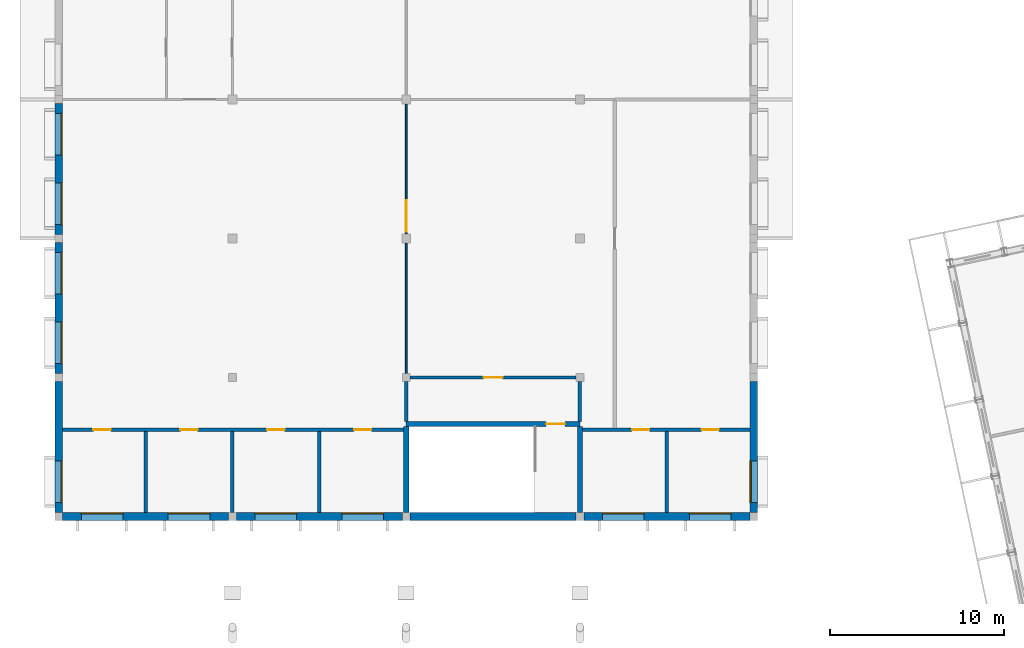
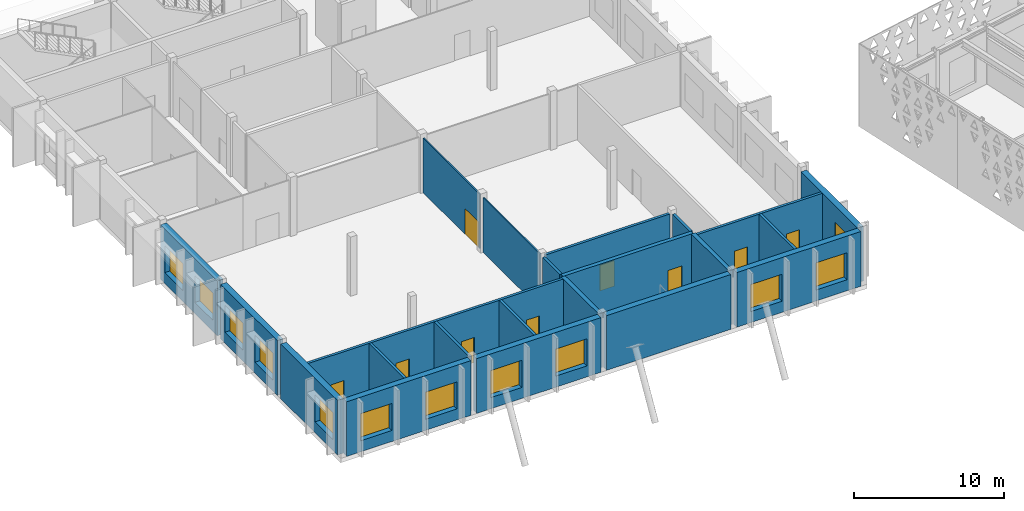
# One storey, part 119 of 182: 22 walls, 12 windows, 9 doors, 21 openings.
"""IFC4 building model written with IfcOpenShell, lengths in metres."""

from ifc_helpers import new_model, si_unit, direction, frame, frame_2d, origin, place, context, subcontext, project, spatial, rectangle, extrude, material, layer, layer_set, type_object, element, fill, save


model = new_model("IFC4")

# Units and contexts
model_context = context("Model", 3, precision=1e-05, world=origin(), true_north=direction((0.0, 1.0)))
body_context = subcontext(model_context, "Body", "Model", "MODEL_VIEW")
ifc_project = project(units=[si_unit("LENGTHUNIT", "METRE"), si_unit("AREAUNIT", "SQUARE_METRE"), si_unit("VOLUMEUNIT", "CUBIC_METRE"), si_unit("PLANEANGLEUNIT", "RADIAN"), si_unit("MASSUNIT", "GRAM", prefix="KILO")], contexts=[model_context])

# Site, building, storey
site_placement = place(None, origin())
site = spatial("IfcSite", under=ifc_project, at=site_placement, CompositionType="ELEMENT")
building_placement = place(site_placement, origin())
building = spatial("IfcBuilding", under=site, at=building_placement, Name="Okhra Congress Centre", CompositionType="ELEMENT")
storey_placement = place(building_placement, frame((0.0, 0.0, 7.199951171875)))
storey = spatial("IfcBuildingStorey", under=building, at=storey_placement, Name="L01", CompositionType="ELEMENT", Elevation=7.199951171875)

# Wall, openings, doors
ifc_material_1 = material(Name="Double gypsum board on steel studs with mineral wool", Category="steel")
ifc_layer_1 = layer(ifc_material_1, 0.199951171875)
ifc_layer_set_1 = layer_set([ifc_layer_1], Name="Acoustic partition 200 EI 15")
wall_type_1 = type_object("IfcWallType", Name="Acoustic partition 200 EI 15", PredefinedType="PARTITIONING", material=ifc_layer_set_1)
wall_1_placement = place(storey_placement, frame((6.22509765625, 41.0, 0.0), z_axis=(0.0, 0.0, 1.0), x_axis=(1.0, 0.0, 0.0)))
wall_1 = element("IfcWall", 1, at=wall_1_placement, inside=storey, type_object=wall_type_1, Name="RS.WALL.L01.5", PredefinedType="PARTITIONING", context=body_context, shape_type="SweptSolid", body=[
    extrude(rectangle(XDim=19.625, YDim=0.199951171875, at=frame_2d((9.8125, 0.0))), origin(), (0.0, 0.0, 1.0), 4.449951171875),
])
opening_1_placement = place(wall_1_placement, frame((1.77490234375, 0.0, 0.0)))
opening_1 = element("IfcOpeningElement", 2, at=opening_1_placement, cuts=wall_1, Name="Opening L01-063", PredefinedType="OPENING", context=body_context, shape_type="SweptSolid", body=[
    extrude(rectangle(XDim=1.0, YDim=2.10009765625, at=frame_2d((0.5, 1.050048828125))), frame((0.0, 0.10986328125, 0.0), z_axis=(0.0, -1.0, 0.0), x_axis=(1.0, 0.0, 0.0)), (0.0, 0.0, 1.0), 0.219970703125),
])
opening_2_placement = place(wall_1_placement, frame((6.77490234375, 0.0, 0.0)))
opening_2 = element("IfcOpeningElement", 3, at=opening_2_placement, cuts=wall_1, Name="Opening L01-064", PredefinedType="OPENING", context=body_context, shape_type="SweptSolid", body=[
    extrude(rectangle(XDim=1.0, YDim=2.10009765625, at=frame_2d((0.5, 1.050048828125))), frame((0.0, 0.10986328125, 0.0), z_axis=(0.0, -1.0, 0.0), x_axis=(1.0, 0.0, 0.0)), (0.0, 0.0, 1.0), 0.219970703125),
])
opening_3_placement = place(wall_1_placement, frame((11.77490234375, 0.0, 0.0)))
opening_3 = element("IfcOpeningElement", 4, at=opening_3_placement, cuts=wall_1, Name="Opening L01-065", PredefinedType="OPENING", context=body_context, shape_type="SweptSolid", body=[
    extrude(rectangle(XDim=1.0, YDim=2.10009765625, at=frame_2d((0.5, 1.050048828125))), frame((0.0, 0.10986328125, 0.0), z_axis=(0.0, -1.0, 0.0), x_axis=(1.0, 0.0, 0.0)), (0.0, 0.0, 1.0), 0.219970703125),
])
opening_4_placement = place(wall_1_placement, frame((16.77490234375, 0.0, 0.0)))
opening_4 = element("IfcOpeningElement", 5, at=opening_4_placement, cuts=wall_1, Name="Opening L01-066", PredefinedType="OPENING", context=body_context, shape_type="SweptSolid", body=[
    extrude(rectangle(XDim=1.0, YDim=2.10009765625, at=frame_2d((0.5, 1.050048828125))), frame((0.0, 0.10986328125, 0.0), z_axis=(0.0, -1.0, 0.0), x_axis=(1.0, 0.0, 0.0)), (0.0, 0.0, 1.0), 0.219970703125),
])
ifc_material_2 = material(Name="Timber door leaf in steel frame", Category="steel")
door_type_1 = type_object("IfcDoorType", Name="Single swing door 1000x2100", OperationType="NOTDEFINED", PredefinedType="DOOR", material=ifc_material_2)
door_1_placement = place(opening_1_placement, origin())
door_1 = element("IfcDoor", 6, at=door_1_placement, inside=storey, type_object=door_type_1, Name="Door L01-063", OperationType="SINGLE_SWING_RIGHT", OverallHeight=2.10009765625, OverallWidth=1.0, PredefinedType="DOOR", context=body_context, shape_type="SweptSolid", body=[
    extrude(rectangle(XDim=1.0, YDim=2.10009765625, at=frame_2d((0.5, 1.050048828125))), frame((0.0, 0.02490234375, 0.0), z_axis=(0.0, -1.0, 0.0), x_axis=(1.0, 0.0, 0.0)), (0.0, 0.0, 1.0), 0.050048828125),
])
fill(opening_1, door_1)
door_2_placement = place(opening_2_placement, origin())
door_2 = element("IfcDoor", 7, at=door_2_placement, inside=storey, type_object=door_type_1, Name="Door L01-064", OperationType="SINGLE_SWING_LEFT", OverallHeight=2.10009765625, OverallWidth=1.0, PredefinedType="DOOR", context=body_context, shape_type="SweptSolid", body=[
    extrude(rectangle(XDim=1.0, YDim=2.10009765625, at=frame_2d((0.5, 1.050048828125))), frame((0.0, 0.02490234375, 0.0), z_axis=(0.0, -1.0, 0.0), x_axis=(1.0, 0.0, 0.0)), (0.0, 0.0, 1.0), 0.050048828125),
])
fill(opening_2, door_2)
door_3_placement = place(opening_3_placement, origin())
door_3 = element("IfcDoor", 8, at=door_3_placement, inside=storey, type_object=door_type_1, Name="Door L01-065", OperationType="SINGLE_SWING_RIGHT", OverallHeight=2.10009765625, OverallWidth=1.0, PredefinedType="DOOR", context=body_context, shape_type="SweptSolid", body=[
    extrude(rectangle(XDim=1.0, YDim=2.10009765625, at=frame_2d((0.5, 1.050048828125))), frame((0.0, 0.02490234375, 0.0), z_axis=(0.0, -1.0, 0.0), x_axis=(1.0, 0.0, 0.0)), (0.0, 0.0, 1.0), 0.050048828125),
])
fill(opening_3, door_3)
door_4_placement = place(opening_4_placement, origin())
door_4 = element("IfcDoor", 9, at=door_4_placement, inside=storey, type_object=door_type_1, Name="Door L01-066", OperationType="SINGLE_SWING_LEFT", OverallHeight=2.10009765625, OverallWidth=1.0, PredefinedType="DOOR", context=body_context, shape_type="SweptSolid", body=[
    extrude(rectangle(XDim=1.0, YDim=2.10009765625, at=frame_2d((0.5, 1.050048828125))), frame((0.0, 0.02490234375, 0.0), z_axis=(0.0, -1.0, 0.0), x_axis=(1.0, 0.0, 0.0)), (0.0, 0.0, 1.0), 0.050048828125),
])
fill(opening_4, door_4)

wall_2_placement = place(storey_placement, frame((36.14990234375, 41.0, 0.0), z_axis=(0.0, 0.0, 1.0), x_axis=(1.0, 0.0, 0.0)))
wall_2 = element("IfcWall", 10, at=wall_2_placement, inside=storey, type_object=wall_type_1, Name="RS.WALL.L01.6", PredefinedType="PARTITIONING", context=body_context, shape_type="SweptSolid", body=[
    extrude(rectangle(XDim=9.625, YDim=0.199951171875, at=frame_2d((4.8125, 0.0))), origin(), (0.0, 0.0, 1.0), 4.449951171875),
])
opening_5_placement = place(wall_2_placement, frame((2.85009765625, 0.0, 0.0)))
opening_5 = element("IfcOpeningElement", 11, at=opening_5_placement, cuts=wall_2, Name="Opening L01-067", PredefinedType="OPENING", context=body_context, shape_type="SweptSolid", body=[
    extrude(rectangle(XDim=1.0, YDim=2.10009765625, at=frame_2d((0.5, 1.050048828125))), frame((0.0, 0.10986328125, 0.0), z_axis=(0.0, -1.0, 0.0), x_axis=(1.0, 0.0, 0.0)), (0.0, 0.0, 1.0), 0.219970703125),
])
opening_6_placement = place(wall_2_placement, frame((6.85009765625, 0.0, 0.0)))
opening_6 = element("IfcOpeningElement", 12, at=opening_6_placement, cuts=wall_2, Name="Opening L01-068", PredefinedType="OPENING", context=body_context, shape_type="SweptSolid", body=[
    extrude(rectangle(XDim=1.0, YDim=2.10009765625, at=frame_2d((0.5, 1.050048828125))), frame((0.0, 0.10986328125, 0.0), z_axis=(0.0, -1.0, 0.0), x_axis=(1.0, 0.0, 0.0)), (0.0, 0.0, 1.0), 0.219970703125),
])
door_5_placement = place(opening_5_placement, origin())
door_5 = element("IfcDoor", 13, at=door_5_placement, inside=storey, type_object=door_type_1, Name="Door L01-067", OperationType="SINGLE_SWING_RIGHT", OverallHeight=2.10009765625, OverallWidth=1.0, PredefinedType="DOOR", context=body_context, shape_type="SweptSolid", body=[
    extrude(rectangle(XDim=1.0, YDim=2.10009765625, at=frame_2d((0.5, 1.050048828125))), frame((0.0, 0.02490234375, 0.0), z_axis=(0.0, -1.0, 0.0), x_axis=(1.0, 0.0, 0.0)), (0.0, 0.0, 1.0), 0.050048828125),
])
fill(opening_5, door_5)
door_6_placement = place(opening_6_placement, origin())
door_6 = element("IfcDoor", 14, at=door_6_placement, inside=storey, type_object=door_type_1, Name="Door L01-068", OperationType="SINGLE_SWING_LEFT", OverallHeight=2.10009765625, OverallWidth=1.0, PredefinedType="DOOR", context=body_context, shape_type="SweptSolid", body=[
    extrude(rectangle(XDim=1.0, YDim=2.10009765625, at=frame_2d((0.5, 1.050048828125))), frame((0.0, 0.02490234375, 0.0), z_axis=(0.0, -1.0, 0.0), x_axis=(1.0, 0.0, 0.0)), (0.0, 0.0, 1.0), 0.050048828125),
])
fill(opening_6, door_6)

# Walls
for number, where, z_axis, x_axis, name in (
    (15, (11.0, 36.22509765625, 0.0), (0.0, 0.0, 1.0), (0.0, 1.0, 0.0), "RS.WALL.L01.37"),
    (16, (16.0, 36.22509765625, 0.0), (0.0, 0.0, 1.0), (0.0, 1.0, 0.0), "RS.WALL.L01.39"),
    (17, (21.0, 36.22509765625, 0.0), (0.0, 0.0, 1.0), (0.0, 1.0, 0.0), "RS.WALL.L01.46"),
    (18, (41.0, 36.22509765625, 0.0), (0.0, 0.0, 1.0), (0.0, 1.0, 0.0), "RS.WALL.L01.63"),
):
    element("IfcWall", number, at=place(storey_placement, frame(where, z_axis=z_axis, x_axis=x_axis)), inside=storey, type_object=wall_type_1, Name=name, PredefinedType="PARTITIONING", context=body_context, shape_type="SweptSolid", body=[
        extrude(rectangle(XDim=4.6748046875, YDim=0.199951171875, at=frame_2d((2.33740234375, 0.0))), origin(), (0.0, 0.0, 1.0), 4.449951171875),
    ])

# Wall, openings, windows
ifc_material_3 = material(Name="Insulated metal panel on steel stud (mineral wool, vapour barrier)", Category="steel")
ifc_layer_2 = layer(ifc_material_3, 0.449951171875)
ifc_layer_set_2 = layer_set([ifc_layer_2], Name="Insulated wall 450")
wall_type_2 = type_object("IfcWallType", Name="Insulated wall 450", PredefinedType="SOLIDWALL", material=ifc_layer_set_2)
wall_3_placement = place(storey_placement, frame((6.22509765625, 36.0, 0.0), z_axis=(0.0, 0.0, 1.0), x_axis=(1.0, 0.0, 0.0)))
wall_3 = element("IfcWall", 19, at=wall_3_placement, inside=storey, type_object=wall_type_2, Name="RS.WALL.L01.1", PredefinedType="SOLIDWALL", context=body_context, shape_type="SweptSolid", body=[
    extrude(rectangle(XDim=9.5498046875, YDim=0.449951171875, at=frame_2d((4.77490234375, 0.0))), origin(), (0.0, 0.0, 1.0), 4.449951171875),
])
opening_7_placement = place(wall_3_placement, frame((1.074951171875, 0.0, 0.89990234375)))
opening_7 = element("IfcOpeningElement", 20, at=opening_7_placement, cuts=wall_3, Name="Opening WN17", PredefinedType="OPENING", context=body_context, shape_type="SweptSolid", body=[
    extrude(rectangle(XDim=2.39990234375, YDim=2.199951171875, at=frame_2d((1.199951171875, 1.10009765625))), frame((0.0, 0.23486328125, 0.0), z_axis=(0.0, -1.0, 0.0), x_axis=(1.0, 0.0, 0.0)), (0.0, 0.0, 1.0), 0.469970703125),
])
opening_8_placement = place(wall_3_placement, frame((6.074951171875, 0.0, 0.89990234375)))
opening_8 = element("IfcOpeningElement", 21, at=opening_8_placement, cuts=wall_3, Name="Opening WN17", PredefinedType="OPENING", context=body_context, shape_type="SweptSolid", body=[
    extrude(rectangle(XDim=2.39990234375, YDim=2.199951171875, at=frame_2d((1.199951171875, 1.10009765625))), frame((0.0, 0.23486328125, 0.0), z_axis=(0.0, -1.0, 0.0), x_axis=(1.0, 0.0, 0.0)), (0.0, 0.0, 1.0), 0.469970703125),
])
ifc_material_4 = material(Name="Thermally broken aluminium frame, triple glazing", Category="aluminium")
window_type = type_object("IfcWindowType", Name="Tilt-and-turn window 2400x2200", PartitioningType="SINGLE_PANEL", PredefinedType="WINDOW", material=ifc_material_4)
window_1_placement = place(opening_7_placement, origin())
window_1 = element("IfcWindow", 22, at=window_1_placement, inside=storey, type_object=window_type, Name="RS.WIN.L01.1", OverallHeight=2.199951171875, OverallWidth=2.39990234375, PartitioningType="SINGLE_PANEL", PredefinedType="WINDOW", context=body_context, shape_type="SweptSolid", body=[
    extrude(rectangle(XDim=2.39990234375, YDim=2.199951171875, at=frame_2d((1.199951171875, 1.10009765625))), frame((0.0, 0.215087890625, 0.0), z_axis=(0.0, -1.0, 0.0), x_axis=(1.0, 0.0, 0.0)), (0.0, 0.0, 1.0), 0.06005859375),
])
fill(opening_7, window_1)
window_2_placement = place(opening_8_placement, origin())
window_2 = element("IfcWindow", 23, at=window_2_placement, inside=storey, type_object=window_type, Name="RS.WIN.L01.2", OverallHeight=2.199951171875, OverallWidth=2.39990234375, PartitioningType="SINGLE_PANEL", PredefinedType="WINDOW", context=body_context, shape_type="SweptSolid", body=[
    extrude(rectangle(XDim=2.39990234375, YDim=2.199951171875, at=frame_2d((1.199951171875, 1.10009765625))), frame((0.0, 0.215087890625, 0.0), z_axis=(0.0, -1.0, 0.0), x_axis=(1.0, 0.0, 0.0)), (0.0, 0.0, 1.0), 0.06005859375),
])
fill(opening_8, window_2)

wall_4_placement = place(storey_placement, frame((16.22509765625, 36.0, 0.0), z_axis=(0.0, 0.0, 1.0), x_axis=(1.0, 0.0, 0.0)))
wall_4 = element("IfcWall", 24, at=wall_4_placement, inside=storey, type_object=wall_type_2, Name="RS.WALL.L01.2", PredefinedType="SOLIDWALL", context=body_context, shape_type="SweptSolid", body=[
    extrude(rectangle(XDim=9.5498046875, YDim=0.449951171875, at=frame_2d((4.77490234375, 0.0))), origin(), (0.0, 0.0, 1.0), 4.449951171875),
])
opening_9_placement = place(wall_4_placement, frame((1.074951171875, 0.0, 0.89990234375)))
opening_9 = element("IfcOpeningElement", 25, at=opening_9_placement, cuts=wall_4, Name="Opening WN17", PredefinedType="OPENING", context=body_context, shape_type="SweptSolid", body=[
    extrude(rectangle(XDim=2.39990234375, YDim=2.199951171875, at=frame_2d((1.199951171875, 1.10009765625))), frame((0.0, 0.23486328125, 0.0), z_axis=(0.0, -1.0, 0.0), x_axis=(1.0, 0.0, 0.0)), (0.0, 0.0, 1.0), 0.469970703125),
])
opening_10_placement = place(wall_4_placement, frame((6.074951171875, 0.0, 0.89990234375)))
opening_10 = element("IfcOpeningElement", 26, at=opening_10_placement, cuts=wall_4, Name="Opening WN17", PredefinedType="OPENING", context=body_context, shape_type="SweptSolid", body=[
    extrude(rectangle(XDim=2.39990234375, YDim=2.199951171875, at=frame_2d((1.199951171875, 1.10009765625))), frame((0.0, 0.23486328125, 0.0), z_axis=(0.0, -1.0, 0.0), x_axis=(1.0, 0.0, 0.0)), (0.0, 0.0, 1.0), 0.469970703125),
])
window_3_placement = place(opening_9_placement, origin())
window_3 = element("IfcWindow", 27, at=window_3_placement, inside=storey, type_object=window_type, Name="RS.WIN.L01.3", OverallHeight=2.199951171875, OverallWidth=2.39990234375, PartitioningType="SINGLE_PANEL", PredefinedType="WINDOW", context=body_context, shape_type="SweptSolid", body=[
    extrude(rectangle(XDim=2.39990234375, YDim=2.199951171875, at=frame_2d((1.199951171875, 1.10009765625))), frame((0.0, 0.215087890625, 0.0), z_axis=(0.0, -1.0, 0.0), x_axis=(1.0, 0.0, 0.0)), (0.0, 0.0, 1.0), 0.06005859375),
])
fill(opening_9, window_3)
window_4_placement = place(opening_10_placement, origin())
window_4 = element("IfcWindow", 28, at=window_4_placement, inside=storey, type_object=window_type, Name="RS.WIN.L01.4", OverallHeight=2.199951171875, OverallWidth=2.39990234375, PartitioningType="SINGLE_PANEL", PredefinedType="WINDOW", context=body_context, shape_type="SweptSolid", body=[
    extrude(rectangle(XDim=2.39990234375, YDim=2.199951171875, at=frame_2d((1.199951171875, 1.10009765625))), frame((0.0, 0.215087890625, 0.0), z_axis=(0.0, -1.0, 0.0), x_axis=(1.0, 0.0, 0.0)), (0.0, 0.0, 1.0), 0.06005859375),
])
fill(opening_10, window_4)

wall_5_placement = place(storey_placement, frame((36.22509765625, 36.0, 0.0), z_axis=(0.0, 0.0, 1.0), x_axis=(1.0, 0.0, 0.0)))
wall_5 = element("IfcWall", 29, at=wall_5_placement, inside=storey, type_object=wall_type_2, Name="RS.WALL.L01.4", PredefinedType="SOLIDWALL", context=body_context, shape_type="SweptSolid", body=[
    extrude(rectangle(XDim=9.5498046875, YDim=0.449951171875, at=frame_2d((4.77490234375, 0.0))), origin(), (0.0, 0.0, 1.0), 4.449951171875),
])
opening_11_placement = place(wall_5_placement, frame((1.074951171875, 0.0, 0.89990234375)))
opening_11 = element("IfcOpeningElement", 30, at=opening_11_placement, cuts=wall_5, Name="Opening WN17", PredefinedType="OPENING", context=body_context, shape_type="SweptSolid", body=[
    extrude(rectangle(XDim=2.39990234375, YDim=2.199951171875, at=frame_2d((1.199951171875, 1.10009765625))), frame((0.0, 0.23486328125, 0.0), z_axis=(0.0, -1.0, 0.0), x_axis=(1.0, 0.0, 0.0)), (0.0, 0.0, 1.0), 0.469970703125),
])
opening_12_placement = place(wall_5_placement, frame((6.074951171875, 0.0, 0.89990234375)))
opening_12 = element("IfcOpeningElement", 31, at=opening_12_placement, cuts=wall_5, Name="Opening WN17", PredefinedType="OPENING", context=body_context, shape_type="SweptSolid", body=[
    extrude(rectangle(XDim=2.39990234375, YDim=2.199951171875, at=frame_2d((1.199951171875, 1.10009765625))), frame((0.0, 0.23486328125, 0.0), z_axis=(0.0, -1.0, 0.0), x_axis=(1.0, 0.0, 0.0)), (0.0, 0.0, 1.0), 0.469970703125),
])
window_5_placement = place(opening_11_placement, origin())
window_5 = element("IfcWindow", 32, at=window_5_placement, inside=storey, type_object=window_type, Name="RS.WIN.L01.5", OverallHeight=2.199951171875, OverallWidth=2.39990234375, PartitioningType="SINGLE_PANEL", PredefinedType="WINDOW", context=body_context, shape_type="SweptSolid", body=[
    extrude(rectangle(XDim=2.39990234375, YDim=2.199951171875, at=frame_2d((1.199951171875, 1.10009765625))), frame((0.0, 0.215087890625, 0.0), z_axis=(0.0, -1.0, 0.0), x_axis=(1.0, 0.0, 0.0)), (0.0, 0.0, 1.0), 0.06005859375),
])
fill(opening_11, window_5)
window_6_placement = place(opening_12_placement, origin())
window_6 = element("IfcWindow", 33, at=window_6_placement, inside=storey, type_object=window_type, Name="RS.WIN.L01.6", OverallHeight=2.199951171875, OverallWidth=2.39990234375, PartitioningType="SINGLE_PANEL", PredefinedType="WINDOW", context=body_context, shape_type="SweptSolid", body=[
    extrude(rectangle(XDim=2.39990234375, YDim=2.199951171875, at=frame_2d((1.199951171875, 1.10009765625))), frame((0.0, 0.215087890625, 0.0), z_axis=(0.0, -1.0, 0.0), x_axis=(1.0, 0.0, 0.0)), (0.0, 0.0, 1.0), 0.06005859375),
])
fill(opening_12, window_6)

# Wall, opening, window
wall_6_placement = place(storey_placement, frame((6.0, 43.77490234375, 0.0), z_axis=(0.0, 0.0, 1.0), x_axis=(0.0, -1.0, 0.0)))
wall_6 = element("IfcWall", 34, at=wall_6_placement, inside=storey, type_object=wall_type_2, Name="RS.WALL.L01.31", PredefinedType="SOLIDWALL", context=body_context, shape_type="SweptSolid", body=[
    extrude(rectangle(XDim=7.5498046875, YDim=0.449951171875, at=frame_2d((3.77490234375, 0.0))), origin(), (0.0, 0.0, 1.0), 4.449951171875),
])
opening_13_placement = place(wall_6_placement, frame((4.574951171875, 0.0, 0.89990234375)))
opening_13 = element("IfcOpeningElement", 35, at=opening_13_placement, cuts=wall_6, Name="Opening WN17", PredefinedType="OPENING", context=body_context, shape_type="SweptSolid", body=[
    extrude(rectangle(XDim=2.39990234375, YDim=2.199951171875, at=frame_2d((1.199951171875, 1.10009765625))), frame((0.0, 0.23486328125, 0.0), z_axis=(0.0, -1.0, 0.0), x_axis=(1.0, 0.0, 0.0)), (0.0, 0.0, 1.0), 0.469970703125),
])
window_7_placement = place(opening_13_placement, origin())
window_7 = element("IfcWindow", 36, at=window_7_placement, inside=storey, type_object=window_type, Name="RS.WIN.L01.9", OverallHeight=2.199951171875, OverallWidth=2.39990234375, PartitioningType="SINGLE_PANEL", PredefinedType="WINDOW", context=body_context, shape_type="SweptSolid", body=[
    extrude(rectangle(XDim=2.39990234375, YDim=2.199951171875, at=frame_2d((1.199951171875, 1.10009765625))), frame((0.0, 0.215087890625, 0.0), z_axis=(0.0, -1.0, 0.0), x_axis=(1.0, 0.0, 0.0)), (0.0, 0.0, 1.0), 0.06005859375),
])
fill(opening_13, window_7)

# Wall, openings, windows
wall_7_placement = place(storey_placement, frame((6.0, 51.77490234375, 0.0), z_axis=(0.0, 0.0, 1.0), x_axis=(0.0, -1.0, 0.0)))
wall_7 = element("IfcWall", 37, at=wall_7_placement, inside=storey, type_object=wall_type_2, Name="RS.WALL.L01.32", PredefinedType="SOLIDWALL", context=body_context, shape_type="SweptSolid", body=[
    extrude(rectangle(XDim=7.5498046875, YDim=0.449951171875, at=frame_2d((3.77490234375, 0.0))), origin(), (0.0, 0.0, 1.0), 4.449951171875),
])
opening_14_placement = place(wall_7_placement, frame((4.574951171875, 0.0, 0.89990234375)))
opening_14 = element("IfcOpeningElement", 38, at=opening_14_placement, cuts=wall_7, Name="Opening WN17", PredefinedType="OPENING", context=body_context, shape_type="SweptSolid", body=[
    extrude(rectangle(XDim=2.39990234375, YDim=2.199951171875, at=frame_2d((1.199951171875, 1.10009765625))), frame((0.0, 0.23486328125, 0.0), z_axis=(0.0, -1.0, 0.0), x_axis=(1.0, 0.0, 0.0)), (0.0, 0.0, 1.0), 0.469970703125),
])
opening_15_placement = place(wall_7_placement, frame((0.574951171875, 0.0, 0.89990234375)))
opening_15 = element("IfcOpeningElement", 39, at=opening_15_placement, cuts=wall_7, Name="Opening WN17", PredefinedType="OPENING", context=body_context, shape_type="SweptSolid", body=[
    extrude(rectangle(XDim=2.39990234375, YDim=2.199951171875, at=frame_2d((1.199951171875, 1.10009765625))), frame((0.0, 0.23486328125, 0.0), z_axis=(0.0, -1.0, 0.0), x_axis=(1.0, 0.0, 0.0)), (0.0, 0.0, 1.0), 0.469970703125),
])
window_8_placement = place(opening_14_placement, origin())
window_8 = element("IfcWindow", 40, at=window_8_placement, inside=storey, type_object=window_type, Name="RS.WIN.L01.10", OverallHeight=2.199951171875, OverallWidth=2.39990234375, PartitioningType="SINGLE_PANEL", PredefinedType="WINDOW", context=body_context, shape_type="SweptSolid", body=[
    extrude(rectangle(XDim=2.39990234375, YDim=2.199951171875, at=frame_2d((1.199951171875, 1.10009765625))), frame((0.0, 0.215087890625, 0.0), z_axis=(0.0, -1.0, 0.0), x_axis=(1.0, 0.0, 0.0)), (0.0, 0.0, 1.0), 0.06005859375),
])
fill(opening_14, window_8)
window_9_placement = place(opening_15_placement, origin())
window_9 = element("IfcWindow", 41, at=window_9_placement, inside=storey, type_object=window_type, Name="RS.WIN.L01.11", OverallHeight=2.199951171875, OverallWidth=2.39990234375, PartitioningType="SINGLE_PANEL", PredefinedType="WINDOW", context=body_context, shape_type="SweptSolid", body=[
    extrude(rectangle(XDim=2.39990234375, YDim=2.199951171875, at=frame_2d((1.199951171875, 1.10009765625))), frame((0.0, 0.215087890625, 0.0), z_axis=(0.0, -1.0, 0.0), x_axis=(1.0, 0.0, 0.0)), (0.0, 0.0, 1.0), 0.06005859375),
])
fill(opening_15, window_9)

wall_8_placement = place(storey_placement, frame((6.0, 59.77490234375, 0.0), z_axis=(0.0, 0.0, 1.0), x_axis=(0.0, -1.0, 0.0)))
wall_8 = element("IfcWall", 42, at=wall_8_placement, inside=storey, type_object=wall_type_2, Name="RS.WALL.L01.33", PredefinedType="SOLIDWALL", context=body_context, shape_type="SweptSolid", body=[
    extrude(rectangle(XDim=7.5498046875, YDim=0.449951171875, at=frame_2d((3.77490234375, 0.0))), origin(), (0.0, 0.0, 1.0), 4.449951171875),
])
opening_16_placement = place(wall_8_placement, frame((4.574951171875, 0.0, 0.89990234375)))
opening_16 = element("IfcOpeningElement", 43, at=opening_16_placement, cuts=wall_8, Name="Opening WN17", PredefinedType="OPENING", context=body_context, shape_type="SweptSolid", body=[
    extrude(rectangle(XDim=2.39990234375, YDim=2.199951171875, at=frame_2d((1.199951171875, 1.10009765625))), frame((0.0, 0.23486328125, 0.0), z_axis=(0.0, -1.0, 0.0), x_axis=(1.0, 0.0, 0.0)), (0.0, 0.0, 1.0), 0.469970703125),
])
opening_17_placement = place(wall_8_placement, frame((0.574951171875, 0.0, 0.89990234375)))
opening_17 = element("IfcOpeningElement", 44, at=opening_17_placement, cuts=wall_8, Name="Opening WN17", PredefinedType="OPENING", context=body_context, shape_type="SweptSolid", body=[
    extrude(rectangle(XDim=2.39990234375, YDim=2.199951171875, at=frame_2d((1.199951171875, 1.10009765625))), frame((0.0, 0.23486328125, 0.0), z_axis=(0.0, -1.0, 0.0), x_axis=(1.0, 0.0, 0.0)), (0.0, 0.0, 1.0), 0.469970703125),
])
window_10_placement = place(opening_16_placement, origin())
window_10 = element("IfcWindow", 45, at=window_10_placement, inside=storey, type_object=window_type, Name="RS.WIN.L01.12", OverallHeight=2.199951171875, OverallWidth=2.39990234375, PartitioningType="SINGLE_PANEL", PredefinedType="WINDOW", context=body_context, shape_type="SweptSolid", body=[
    extrude(rectangle(XDim=2.39990234375, YDim=2.199951171875, at=frame_2d((1.199951171875, 1.10009765625))), frame((0.0, 0.215087890625, 0.0), z_axis=(0.0, -1.0, 0.0), x_axis=(1.0, 0.0, 0.0)), (0.0, 0.0, 1.0), 0.06005859375),
])
fill(opening_16, window_10)
window_11_placement = place(opening_17_placement, origin())
window_11 = element("IfcWindow", 46, at=window_11_placement, inside=storey, type_object=window_type, Name="RS.WIN.L01.13", OverallHeight=2.199951171875, OverallWidth=2.39990234375, PartitioningType="SINGLE_PANEL", PredefinedType="WINDOW", context=body_context, shape_type="SweptSolid", body=[
    extrude(rectangle(XDim=2.39990234375, YDim=2.199951171875, at=frame_2d((1.199951171875, 1.10009765625))), frame((0.0, 0.215087890625, 0.0), z_axis=(0.0, -1.0, 0.0), x_axis=(1.0, 0.0, 0.0)), (0.0, 0.0, 1.0), 0.06005859375),
])
fill(opening_17, window_11)

# Wall, opening, window
wall_9_placement = place(storey_placement, frame((46.0, 36.22509765625, 0.0), z_axis=(0.0, 0.0, 1.0), x_axis=(0.0, 1.0, 0.0)))
wall_9 = element("IfcWall", 47, at=wall_9_placement, inside=storey, type_object=wall_type_2, Name="RS.WALL.L01.64", PredefinedType="SOLIDWALL", context=body_context, shape_type="SweptSolid", body=[
    extrude(rectangle(XDim=7.5498046875, YDim=0.449951171875, at=frame_2d((3.77490234375, 0.0))), origin(), (0.0, 0.0, 1.0), 4.449951171875),
])
opening_18_placement = place(wall_9_placement, frame((0.574951171875, 0.0, 0.89990234375)))
opening_18 = element("IfcOpeningElement", 48, at=opening_18_placement, cuts=wall_9, Name="Opening WN17", PredefinedType="OPENING", context=body_context, shape_type="SweptSolid", body=[
    extrude(rectangle(XDim=2.39990234375, YDim=2.199951171875, at=frame_2d((1.199951171875, 1.10009765625))), frame((0.0, 0.23486328125, 0.0), z_axis=(0.0, -1.0, 0.0), x_axis=(1.0, 0.0, 0.0)), (0.0, 0.0, 1.0), 0.469970703125),
])
window_12_placement = place(opening_18_placement, origin())
window_12 = element("IfcWindow", 49, at=window_12_placement, inside=storey, type_object=window_type, Name="RS.WIN.L01.17", OverallHeight=2.199951171875, OverallWidth=2.39990234375, PartitioningType="SINGLE_PANEL", PredefinedType="WINDOW", context=body_context, shape_type="SweptSolid", body=[
    extrude(rectangle(XDim=2.39990234375, YDim=2.199951171875, at=frame_2d((1.199951171875, 1.10009765625))), frame((0.0, 0.215087890625, 0.0), z_axis=(0.0, -1.0, 0.0), x_axis=(1.0, 0.0, 0.0)), (0.0, 0.0, 1.0), 0.06005859375),
])
fill(opening_18, window_12)

# Wall, opening, door
ifc_material_5 = material(Name="Masonry blockwork (aerated concrete D500)", Category="masonry")
ifc_layer_3 = layer(ifc_material_5, 0.199951171875)
ifc_layer_set_3 = layer_set([ifc_layer_3], Name="Masonry block wall 200 EI 45")
wall_type_3 = type_object("IfcWallType", Name="Masonry block wall 200 EI 45", PredefinedType="SOLIDWALL", material=ifc_layer_set_3)
wall_10_placement = place(storey_placement, frame((26.22509765625, 44.0, 0.0), z_axis=(0.0, 0.0, 1.0), x_axis=(1.0, 0.0, 0.0)))
wall_10 = element("IfcWall", 50, at=wall_10_placement, inside=storey, type_object=wall_type_3, Name="RS.WALL.L01.8", PredefinedType="SOLIDWALL", context=body_context, shape_type="SweptSolid", body=[
    extrude(rectangle(XDim=9.5498046875, YDim=0.199951171875, at=frame_2d((4.77490234375, 0.0))), origin(), (0.0, 0.0, 1.0), 4.449951171875),
])
opening_19_placement = place(wall_10_placement, frame((4.22509765625, 0.0, 0.0)))
opening_19 = element("IfcOpeningElement", 51, at=opening_19_placement, cuts=wall_10, Name="Opening L01-058", PredefinedType="OPENING", context=body_context, shape_type="SweptSolid", body=[
    extrude(rectangle(XDim=1.10009765625, YDim=2.10009765625, at=frame_2d((0.550048828125, 1.050048828125))), frame((0.0, 0.10986328125, 0.0), z_axis=(0.0, -1.0, 0.0), x_axis=(1.0, 0.0, 0.0)), (0.0, 0.0, 1.0), 0.219970703125),
])
ifc_material_6 = material(Name="Steel fire door leaf in steel frame, intumescent seals", Category="steel")
door_type_2 = type_object("IfcDoorType", Name="Steel fire door 1100x2100 EI 30", OperationType="NOTDEFINED", PredefinedType="DOOR", material=ifc_material_6)
door_7_placement = place(opening_19_placement, frame((1.10009765625, 0.0, 0.0), z_axis=(0.0, 0.0, 1.0), x_axis=(-1.0, 0.0, 0.0)))
door_7 = element("IfcDoor", 52, at=door_7_placement, inside=storey, type_object=door_type_2, Name="Door L01-058", OperationType="SINGLE_SWING_RIGHT", OverallHeight=2.10009765625, OverallWidth=1.10009765625, PredefinedType="DOOR", context=body_context, shape_type="SweptSolid", body=[
    extrude(rectangle(XDim=1.10009765625, YDim=2.10009765625, at=frame_2d((0.550048828125, 1.050048828125))), frame((0.0, 0.02490234375, 0.0), z_axis=(0.0, -1.0, 0.0), x_axis=(1.0, 0.0, 0.0)), (0.0, 0.0, 1.0), 0.050048828125),
])
fill(opening_19, door_7)

# Walls
for number, where, z_axis, x_axis, name in (
    (53, (26.0, 41.47509765625, 0.0), (0.0, 0.0, 1.0), (0.0, 1.0, 0.0), "RS.WALL.L01.48"),
    (54, (36.0, 41.47509765625, 0.0), (0.0, 0.0, 1.0), (0.0, 1.0, 0.0), "RS.WALL.L01.59"),
):
    element("IfcWall", number, at=place(storey_placement, frame(where, z_axis=z_axis, x_axis=x_axis)), inside=storey, type_object=wall_type_3, Name=name, PredefinedType="SOLIDWALL", context=body_context, shape_type="SweptSolid", body=[
        extrude(rectangle(XDim=2.2998046875, YDim=0.199951171875, at=frame_2d((1.14990234375, 0.0))), origin(), (0.0, 0.0, 1.0), 4.449951171875),
    ])
ifc_material_7 = material(Name="Gypsum board on steel studs", Category="steel")
ifc_layer_4 = layer(ifc_material_7, 0.10009765625)
ifc_layer_set_4 = layer_set([ifc_layer_4], Name="Partition 100 EI 15")
wall_type_4 = type_object("IfcWallType", Name="Partition 100 EI 15", PredefinedType="PARTITIONING", material=ifc_layer_set_4)
wall_11_placement = place(storey_placement, frame((26.0, 44.22509765625, 0.0), z_axis=(0.0, 0.0, 1.0), x_axis=(0.0, 1.0, 0.0)))
element("IfcWall", 55, at=wall_11_placement, inside=storey, type_object=wall_type_4, Name="RS.WALL.L01.49", PredefinedType="PARTITIONING", context=body_context, shape_type="SweptSolid", body=[
    extrude(rectangle(XDim=7.52490234375, YDim=0.10009765625, at=frame_2d((3.762451171875, 0.0))), origin(), (0.0, 0.0, 1.0), 4.449951171875),
])

# Wall, opening, door
wall_12_placement = place(storey_placement, frame((26.0, 52.25, 0.0), z_axis=(0.0, 0.0, 1.0), x_axis=(0.0, 1.0, 0.0)))
wall_12 = element("IfcWall", 56, at=wall_12_placement, inside=storey, type_object=wall_type_4, Name="RS.WALL.L01.50", PredefinedType="PARTITIONING", context=body_context, shape_type="SweptSolid", body=[
    extrude(rectangle(XDim=7.5, YDim=0.10009765625, at=frame_2d((3.75, 0.0))), origin(), (0.0, 0.0, 1.0), 4.449951171875),
])
opening_20_placement = place(wall_12_placement, frame((0.14990234375, 0.0, 0.0)))
opening_20 = element("IfcOpeningElement", 57, at=opening_20_placement, cuts=wall_12, Name="Opening L01-070", PredefinedType="OPENING", context=body_context, shape_type="SweptSolid", body=[
    extrude(rectangle(XDim=1.800048828125, YDim=2.10009765625, at=frame_2d((0.89990234375, 1.050048828125))), frame((0.0, 0.06005859375, 0.0), z_axis=(0.0, -1.0, 0.0), x_axis=(1.0, 0.0, 0.0)), (0.0, 0.0, 1.0), 0.1201171875),
])
ifc_material_8 = material(Name="Timber door leaves in steel frame", Category="steel")
door_type_3 = type_object("IfcDoorType", Name="Double swing door 1800x2100", OperationType="NOTDEFINED", PredefinedType="DOOR", material=ifc_material_8)
door_8_placement = place(opening_20_placement, origin())
door_8 = element("IfcDoor", 58, at=door_8_placement, inside=storey, type_object=door_type_3, Name="Door L01-070", OperationType="DOUBLE_DOOR_SINGLE_SWING", OverallHeight=2.10009765625, OverallWidth=1.800048828125, PredefinedType="DOOR", context=body_context, shape_type="SweptSolid", body=[
    extrude(rectangle(XDim=1.800048828125, YDim=2.10009765625, at=frame_2d((0.89990234375, 1.050048828125))), frame((0.0, 0.02490234375, 0.0), z_axis=(0.0, -1.0, 0.0), x_axis=(1.0, 0.0, 0.0)), (0.0, 0.0, 1.0), 0.050048828125),
])
fill(opening_20, door_8)

ifc_material_9 = material(Name="Concrete C35/45", Category="concrete")
ifc_layer_5 = layer(ifc_material_9, 0.300048828125)
ifc_layer_set_5 = layer_set([ifc_layer_5], Name="RC core wall 300 REI 120 C35/45")
wall_type_5 = type_object("IfcWallType", Name="RC core wall 300 REI 120 C35/45", PredefinedType="SHEAR", material=ifc_layer_set_5)
wall_13_placement = place(storey_placement, frame((26.0, 41.324951171875, 0.0), z_axis=(0.0, 0.0, 1.0), x_axis=(1.0, 0.0, 0.0)))
wall_13 = element("IfcWall", 59, at=wall_13_placement, inside=storey, type_object=wall_type_5, Name="RS.WALL.L01.7", PredefinedType="SHEAR", context=body_context, shape_type="SweptSolid", body=[
    extrude(rectangle(XDim=10.0, YDim=0.300048828125, at=frame_2d((5.0, 0.0))), origin(), (0.0, 0.0, 1.0), 4.449951171875),
])
opening_21_placement = place(wall_13_placement, frame((8.050048828125, 0.0, 0.0)))
opening_21 = element("IfcOpeningElement", 60, at=opening_21_placement, cuts=wall_13, Name="Opening L01-059", PredefinedType="OPENING", context=body_context, shape_type="SweptSolid", body=[
    extrude(rectangle(XDim=1.10009765625, YDim=2.10009765625, at=frame_2d((0.550048828125, 1.050048828125))), frame((0.0, 0.159912109375, 0.0), z_axis=(0.0, -1.0, 0.0), x_axis=(1.0, 0.0, 0.0)), (0.0, 0.0, 1.0), 0.320068359375),
])
door_9_placement = place(opening_21_placement, frame((1.10009765625, 0.0, 0.0), z_axis=(0.0, 0.0, 1.0), x_axis=(-1.0, 0.0, 0.0)))
door_9 = element("IfcDoor", 61, at=door_9_placement, inside=storey, type_object=door_type_2, Name="Door L01-059", OperationType="SINGLE_SWING_LEFT", OverallHeight=2.10009765625, OverallWidth=1.10009765625, PredefinedType="DOOR", context=body_context, shape_type="SweptSolid", body=[
    extrude(rectangle(XDim=1.10009765625, YDim=2.10009765625, at=frame_2d((0.550048828125, 1.050048828125))), frame((0.0, 0.02490234375, 0.0), z_axis=(0.0, -1.0, 0.0), x_axis=(1.0, 0.0, 0.0)), (0.0, 0.0, 1.0), 0.050048828125),
])
fill(opening_21, door_9)

# Walls
for number, where, z_axis, x_axis, name in (
    (62, (26.0, 36.22509765625, 0.0), (0.0, 0.0, 1.0), (0.0, 1.0, 0.0), "RS.WALL.L01.47"),
    (63, (36.0, 36.22509765625, 0.0), (0.0, 0.0, 1.0), (0.0, 1.0, 0.0), "RS.WALL.L01.58"),
):
    element("IfcWall", number, at=place(storey_placement, frame(where, z_axis=z_axis, x_axis=x_axis)), inside=storey, type_object=wall_type_5, Name=name, PredefinedType="SHEAR", context=body_context, shape_type="SweptSolid", body=[
        extrude(rectangle(XDim=4.949951171875, YDim=0.300048828125, at=frame_2d((2.47509765625, 0.0))), origin(), (0.0, 0.0, 1.0), 4.449951171875),
    ])
ifc_material_10 = material(Name="Concrete C30/37", Category="concrete")
ifc_layer_6 = layer(ifc_material_10, 0.449951171875)
ifc_layer_set_6 = layer_set([ifc_layer_6], Name="RC facade wall 450 REI 120 C30/37")
wall_type_6 = type_object("IfcWallType", Name="RC facade wall 450 REI 120 C30/37", PredefinedType="SOLIDWALL", material=ifc_layer_set_6)
wall_14_placement = place(storey_placement, frame((26.22509765625, 36.0, 0.0), z_axis=(0.0, 0.0, 1.0), x_axis=(1.0, 0.0, 0.0)))
element("IfcWall", 64, at=wall_14_placement, inside=storey, type_object=wall_type_6, Name="RS.WALL.L01.3", PredefinedType="SOLIDWALL", context=body_context, shape_type="SweptSolid", body=[
    extrude(rectangle(XDim=9.5498046875, YDim=0.449951171875, at=frame_2d((4.77490234375, 0.0))), origin(), (0.0, 0.0, 1.0), 4.449951171875),
])

save(model, "model.ifc")
